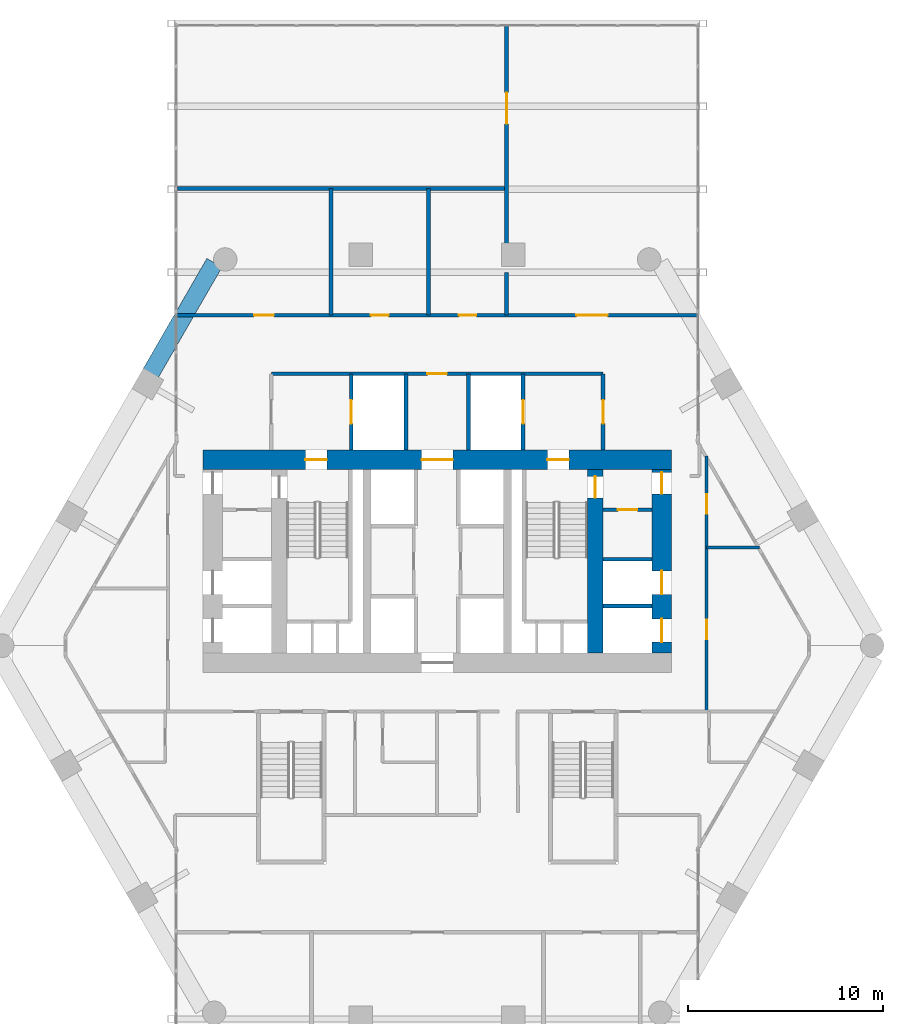
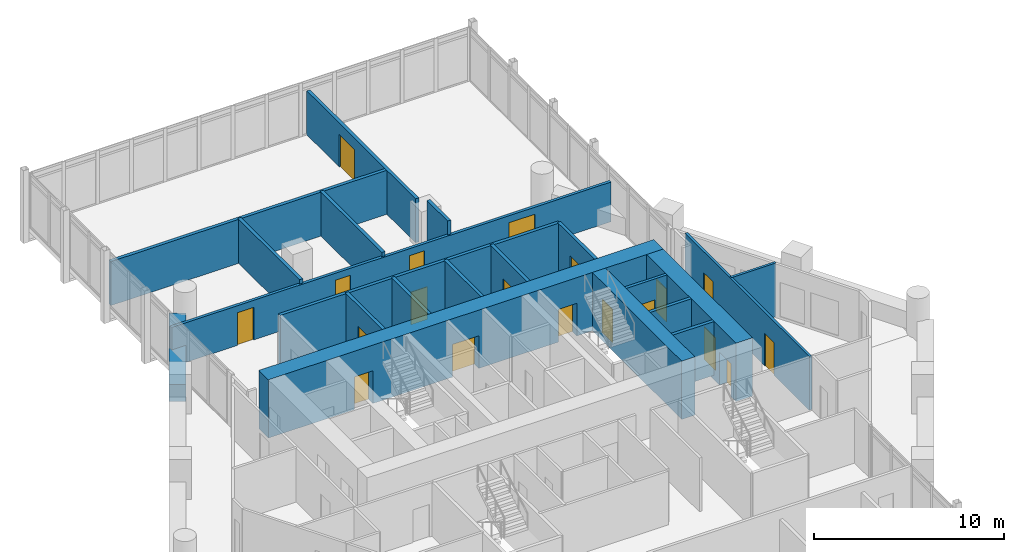
# One storey, part 26 of 28: 21 walls, 19 doors, 19 openings.
"""IFC4 building model written with IfcOpenShell, lengths in metres."""

from ifc_helpers import new_model, si_unit, direction, frame, frame_2d, origin, place, context, subcontext, project, spatial, rectangle, extrude, material, layer, layer_set, type_object, element, fill, save


model = new_model("IFC4")

# Units and contexts
model_context = context("Model", 3, precision=1e-05, world=origin(), true_north=direction((0.0, 1.0)))
body_context = subcontext(model_context, "Body", "Model", "MODEL_VIEW")
ifc_project = project(units=[si_unit("LENGTHUNIT", "METRE"), si_unit("AREAUNIT", "SQUARE_METRE"), si_unit("VOLUMEUNIT", "CUBIC_METRE"), si_unit("PLANEANGLEUNIT", "RADIAN"), si_unit("MASSUNIT", "GRAM", prefix="KILO")], contexts=[model_context])

# Site, building, storey
site_placement = place(None, origin())
site = spatial("IfcSite", under=ifc_project, at=site_placement, CompositionType="ELEMENT")
building_placement = place(site_placement, origin())
building = spatial("IfcBuilding", under=site, at=building_placement, Name="Ostrander Bayou Hotel Tower", CompositionType="ELEMENT")
storey_placement = place(building_placement, frame((0.0, 0.0, 104.25)))
storey = spatial("IfcBuildingStorey", under=building, at=storey_placement, Name="L26", CompositionType="ELEMENT", Elevation=104.25)

# Wall, openings, doors
ifc_material_1 = material(Name="Concrete f'c 70 MPa", Category="concrete")
ifc_layer_1 = layer(ifc_material_1, 1.0)
ifc_layer_set_1 = layer_set([ifc_layer_1], Name="CW4 core wall 1000 mm f'c 70 MPa")
wall_type_1 = type_object("IfcWallType", Name="CW4 core wall 1000 mm f'c 70 MPa", PredefinedType="SHEAR", material=ifc_layer_set_1)
wall_1_placement = place(storey_placement, frame((-12.0, 9.199951171875, -0.300048828125), z_axis=(0.0, 0.0, 1.0), x_axis=(1.0, 0.0, 0.0)))
wall_1 = element("IfcWall", 1, at=wall_1_placement, inside=storey, type_object=wall_type_1, Name="CW4 L26 N", PredefinedType="SHEAR", context=body_context, shape_type="SweptSolid", body=[
    extrude(rectangle(XDim=24.0, YDim=1.0, at=frame_2d((12.0, 0.0))), origin(), (0.0, 0.0, 1.0), 3.75),
])
opening_1_placement = place(wall_1_placement, frame((11.199951171875, 0.0, 0.0)))
opening_1 = element("IfcOpeningElement", 2, at=opening_1_placement, cuts=wall_1, Name="Opening T25-002", PredefinedType="OPENING", context=body_context, shape_type="SweptSolid", body=[
    extrude(rectangle(XDim=1.60009765625, YDim=2.10009765625, at=frame_2d((0.800048828125, 1.050048828125))), frame((0.0, 0.5, 0.0), z_axis=(0.0, -1.0, 0.0), x_axis=(1.0, 0.0, 0.0)), (0.0, 0.0, 1.0), 1.0),
])
opening_2_placement = place(wall_1_placement, frame((5.25, 0.0, 0.0)))
opening_2 = element("IfcOpeningElement", 3, at=opening_2_placement, cuts=wall_1, Name="Opening T25-003", PredefinedType="OPENING", context=body_context, shape_type="SweptSolid", body=[
    extrude(rectangle(XDim=1.10009765625, YDim=2.10009765625, at=frame_2d((0.550048828125, 1.050048828125))), frame((0.0, 0.5, 0.0), z_axis=(0.0, -1.0, 0.0), x_axis=(1.0, 0.0, 0.0)), (0.0, 0.0, 1.0), 1.0),
])
opening_3_placement = place(wall_1_placement, frame((17.64990234375, 0.0, 0.0)))
opening_3 = element("IfcOpeningElement", 4, at=opening_3_placement, cuts=wall_1, Name="Opening T25-005", PredefinedType="OPENING", context=body_context, shape_type="SweptSolid", body=[
    extrude(rectangle(XDim=1.10009765625, YDim=2.10009765625, at=frame_2d((0.550048828125, 1.050048828125))), frame((0.0, 0.5, 0.0), z_axis=(0.0, -1.0, 0.0), x_axis=(1.0, 0.0, 0.0)), (0.0, 0.0, 1.0), 1.0),
])
ifc_material_2 = material(Name="Timber door leaf", Category="wood")
door_type_1 = type_object("IfcDoorType", Name="D13 double door 1600 x 2100 mm, 1 hour", OperationType="SINGLE_SWING_LEFT", PredefinedType="DOOR", material=ifc_material_2)
door_1_placement = place(opening_1_placement, origin())
door_1 = element("IfcDoor", 5, at=door_1_placement, inside=storey, type_object=door_type_1, Name="dr:L26:002", OperationType="DOUBLE_DOOR_SINGLE_SWING", OverallHeight=2.10009765625, OverallWidth=1.60009765625, PredefinedType="DOOR", context=body_context, shape_type="SweptSolid", body=[
    extrude(rectangle(XDim=1.60009765625, YDim=2.10009765625, at=frame_2d((0.800048828125, 1.050048828125))), frame((0.0, 0.02490234375, 0.0), z_axis=(0.0, -1.0, 0.0), x_axis=(1.0, 0.0, 0.0)), (0.0, 0.0, 1.0), 0.050048828125),
])
fill(opening_1, door_1)
ifc_material_3 = material(Name="Timber door leaf", Category="wood")
door_type_2 = type_object("IfcDoorType", Name="D5 stair door 1100 x 2100 mm, 90 minute", OperationType="SINGLE_SWING_LEFT", PredefinedType="DOOR", material=ifc_material_3)
door_2_placement = place(opening_2_placement, origin())
door_2 = element("IfcDoor", 6, at=door_2_placement, inside=storey, type_object=door_type_2, Name="dr:L26:003", OperationType="SINGLE_SWING_LEFT", OverallHeight=2.10009765625, OverallWidth=1.10009765625, PredefinedType="DOOR", context=body_context, shape_type="SweptSolid", body=[
    extrude(rectangle(XDim=1.10009765625, YDim=2.10009765625, at=frame_2d((0.550048828125, 1.050048828125))), frame((0.0, 0.02490234375, 0.0), z_axis=(0.0, -1.0, 0.0), x_axis=(1.0, 0.0, 0.0)), (0.0, 0.0, 1.0), 0.050048828125),
])
fill(opening_2, door_2)
door_3_placement = place(opening_3_placement, origin())
door_3 = element("IfcDoor", 7, at=door_3_placement, inside=storey, type_object=door_type_2, Name="dr:L26:005", OperationType="SINGLE_SWING_RIGHT", OverallHeight=2.10009765625, OverallWidth=1.10009765625, PredefinedType="DOOR", context=body_context, shape_type="SweptSolid", body=[
    extrude(rectangle(XDim=1.10009765625, YDim=2.10009765625, at=frame_2d((0.550048828125, 1.050048828125))), frame((0.0, 0.02490234375, 0.0), z_axis=(0.0, -1.0, 0.0), x_axis=(1.0, 0.0, 0.0)), (0.0, 0.0, 1.0), 0.050048828125),
])
fill(opening_3, door_3)

wall_2_placement = place(storey_placement, frame((11.5, -0.699951171875, -0.300048828125), z_axis=(0.0, 0.0, 1.0), x_axis=(0.0, 1.0, 0.0)))
wall_2 = element("IfcWall", 8, at=wall_2_placement, inside=storey, type_object=wall_type_1, Name="CW4 L26 RE", PredefinedType="SHEAR", context=body_context, shape_type="SweptSolid", body=[
    extrude(rectangle(XDim=9.39990234375, YDim=1.0, at=frame_2d((4.699951171875, 0.0))), origin(), (0.0, 0.0, 1.0), 3.75),
])
opening_4_placement = place(wall_2_placement, frame((8.14990234375, 0.0, 0.0)))
opening_4 = element("IfcOpeningElement", 9, at=opening_4_placement, cuts=wall_2, Name="Opening T25-021", PredefinedType="OPENING", context=body_context, shape_type="SweptSolid", body=[
    extrude(rectangle(XDim=1.10009765625, YDim=2.10009765625, at=frame_2d((0.550048828125, 1.050048828125))), frame((0.0, 0.5, 0.0), z_axis=(0.0, -1.0, 0.0), x_axis=(1.0, 0.0, 0.0)), (0.0, 0.0, 1.0), 1.0),
])
opening_5_placement = place(wall_2_placement, frame((0.550048828125, 0.0, 0.0)))
opening_5 = element("IfcOpeningElement", 10, at=opening_5_placement, cuts=wall_2, Name="Opening T25-022", PredefinedType="OPENING", context=body_context, shape_type="SweptSolid", body=[
    extrude(rectangle(XDim=1.199951171875, YDim=2.10009765625, at=frame_2d((0.60009765625, 1.050048828125))), frame((0.0, 0.5, 0.0), z_axis=(0.0, -1.0, 0.0), x_axis=(1.0, 0.0, 0.0)), (0.0, 0.0, 1.0), 1.0),
])
opening_6_placement = place(wall_2_placement, frame((3.0, 0.0, 0.0)))
opening_6 = element("IfcOpeningElement", 11, at=opening_6_placement, cuts=wall_2, Name="Opening T25-023", PredefinedType="OPENING", context=body_context, shape_type="SweptSolid", body=[
    extrude(rectangle(XDim=1.199951171875, YDim=2.10009765625, at=frame_2d((0.60009765625, 1.050048828125))), frame((0.0, 0.5, 0.0), z_axis=(0.0, -1.0, 0.0), x_axis=(1.0, 0.0, 0.0)), (0.0, 0.0, 1.0), 1.0),
])
door_4_placement = place(opening_4_placement, origin())
door_4 = element("IfcDoor", 12, at=door_4_placement, inside=storey, type_object=door_type_2, Name="dr:L26:021", OperationType="SINGLE_SWING_RIGHT", OverallHeight=2.10009765625, OverallWidth=1.10009765625, PredefinedType="DOOR", context=body_context, shape_type="SweptSolid", body=[
    extrude(rectangle(XDim=1.10009765625, YDim=2.10009765625, at=frame_2d((0.550048828125, 1.050048828125))), frame((0.0, 0.02490234375, 0.0), z_axis=(0.0, -1.0, 0.0), x_axis=(1.0, 0.0, 0.0)), (0.0, 0.0, 1.0), 0.050048828125),
])
fill(opening_4, door_4)
ifc_material_4 = material(Name="Stainless steel sliding door", Category="steel")
door_type_3 = type_object("IfcDoorType", Name="LD1 lift landing door 1200 x 2100 mm", OperationType="SINGLE_SWING_LEFT", PredefinedType="DOOR", material=ifc_material_4)
door_5_placement = place(opening_5_placement, origin())
door_5 = element("IfcDoor", 13, at=door_5_placement, inside=storey, type_object=door_type_3, Name="dr:L26:022", OperationType="SLIDING_TO_LEFT", OverallHeight=2.10009765625, OverallWidth=1.199951171875, PredefinedType="DOOR", context=body_context, shape_type="SweptSolid", body=[
    extrude(rectangle(XDim=1.199951171875, YDim=2.10009765625, at=frame_2d((0.60009765625, 1.050048828125))), frame((0.0, 0.02490234375, 0.0), z_axis=(0.0, -1.0, 0.0), x_axis=(1.0, 0.0, 0.0)), (0.0, 0.0, 1.0), 0.050048828125),
])
fill(opening_5, door_5)
door_6_placement = place(opening_6_placement, origin())
door_6 = element("IfcDoor", 14, at=door_6_placement, inside=storey, type_object=door_type_3, Name="dr:L26:023", OperationType="SLIDING_TO_LEFT", OverallHeight=2.10009765625, OverallWidth=1.199951171875, PredefinedType="DOOR", context=body_context, shape_type="SweptSolid", body=[
    extrude(rectangle(XDim=1.199951171875, YDim=2.10009765625, at=frame_2d((0.60009765625, 1.050048828125))), frame((0.0, 0.02490234375, 0.0), z_axis=(0.0, -1.0, 0.0), x_axis=(1.0, 0.0, 0.0)), (0.0, 0.0, 1.0), 0.050048828125),
])
fill(opening_6, door_6)

# Wall, opening, door
ifc_material_5 = material(Name="Concrete f'c 70 MPa", Category="concrete")
ifc_layer_2 = layer(ifc_material_5, 0.800048828125)
ifc_layer_set_2 = layer_set([ifc_layer_2], Name="CW5 core spine wall 800 mm f'c 70 MPa")
wall_type_2 = type_object("IfcWallType", Name="CW5 core spine wall 800 mm f'c 70 MPa", PredefinedType="SHEAR", material=ifc_layer_set_2)
wall_3_placement = place(storey_placement, frame((8.10009765625, -0.699951171875, -0.300048828125), z_axis=(0.0, 0.0, 1.0), x_axis=(0.0, 1.0, 0.0)))
wall_3 = element("IfcWall", 15, at=wall_3_placement, inside=storey, type_object=wall_type_2, Name="CW5 L26 E", PredefinedType="SHEAR", context=body_context, shape_type="SweptSolid", body=[
    extrude(rectangle(XDim=9.39990234375, YDim=0.800048828125, at=frame_2d((4.699951171875, 0.0))), origin(), (0.0, 0.0, 1.0), 3.75),
])
opening_7_placement = place(wall_3_placement, frame((7.949951171875, 0.0, 0.0)))
opening_7 = element("IfcOpeningElement", 16, at=opening_7_placement, cuts=wall_3, Name="Opening T25-006", PredefinedType="OPENING", context=body_context, shape_type="SweptSolid", body=[
    extrude(rectangle(XDim=1.10009765625, YDim=2.10009765625, at=frame_2d((0.550048828125, 1.050048828125))), frame((0.0, 0.39990234375, 0.0), z_axis=(0.0, -1.0, 0.0), x_axis=(1.0, 0.0, 0.0)), (0.0, 0.0, 1.0), 0.800048828125),
])
door_7_placement = place(opening_7_placement, origin())
door_7 = element("IfcDoor", 17, at=door_7_placement, inside=storey, type_object=door_type_2, Name="dr:L26:006", OperationType="SINGLE_SWING_LEFT", OverallHeight=2.10009765625, OverallWidth=1.10009765625, PredefinedType="DOOR", context=body_context, shape_type="SweptSolid", body=[
    extrude(rectangle(XDim=1.10009765625, YDim=2.10009765625, at=frame_2d((0.550048828125, 1.050048828125))), frame((0.0, 0.02490234375, 0.0), z_axis=(0.0, -1.0, 0.0), x_axis=(1.0, 0.0, 0.0)), (0.0, 0.0, 1.0), 0.050048828125),
])
fill(opening_7, door_7)

# Walls
ifc_material_6 = material(Name="Concrete f'c 40 MPa", Category="concrete")
ifc_layer_3 = layer(ifc_material_6, 0.89990234375)
ifc_layer_set_3 = layer_set([ifc_layer_3], Name="PA1 stone-faced parapet 900 mm")
wall_type_3 = type_object("IfcWallType", Name="PA1 stone-faced parapet 900 mm", PredefinedType="PARAPET", material=ifc_layer_set_3)
wall_4_placement = place(storey_placement, frame((-11.407958984375, 19.286376953125, 0.0), z_axis=(0.0, 0.0, 1.0), x_axis=(-0.499971966783, -0.866041588165, 0.0)))
element("IfcWall", 18, at=wall_4_placement, inside=storey, type_object=wall_type_3, Name="PA1 L26 NW-1", PredefinedType="PARAPET", context=body_context, shape_type="SweptSolid", body=[
    extrude(rectangle(XDim=6.521728515625, YDim=0.89990234375, at=frame_2d((3.2607421875, 0.0))), origin(), (0.0, 0.0, 1.0), 1.10009765625),
])
ifc_material_7 = material(Name="Gypsum board partition", Category="finish")
ifc_layer_4 = layer(ifc_material_7, 0.199951171875)
ifc_layer_set_4 = layer_set([ifc_layer_4], Name="PT3 demising wall 200 mm acoustic double stud, 1 hour")
wall_type_4 = type_object("IfcWallType", Name="PT3 demising wall 200 mm acoustic double stud, 1 hour", PredefinedType="PARTITIONING", material=ifc_layer_set_4)
wall_5_placement = place(storey_placement, frame((-13.312255859375, 23.10009765625, 0.0), z_axis=(0.0, 0.0, 1.0), x_axis=(1.0, 0.0, 0.0)))
element("IfcWall", 19, at=wall_5_placement, inside=storey, type_object=wall_type_4, Name="sw:L26:505", PredefinedType="PARTITIONING", context=body_context, shape_type="SweptSolid", body=[
    extrude(rectangle(XDim=16.8701171875, YDim=0.199951171875, at=frame_2d((8.43505859375, 0.0))), origin(), (0.0, 0.0, 1.0), 2.828125),
])
for number, where, z_axis, x_axis, name in (
    (20, (-5.44189453125, 16.60009765625, 0.0), (0.0, 0.0, 1.0), (0.0, 1.0, 0.0), "sw:L26:507"),
    (21, (-0.44189453125, 16.60009765625, 0.0), (0.0, 0.0, 1.0), (0.0, 1.0, 0.0), "sw:L26:508"),
):
    element("IfcWall", number, at=place(storey_placement, frame(where, z_axis=z_axis, x_axis=x_axis)), inside=storey, type_object=wall_type_4, Name=name, PredefinedType="PARTITIONING", context=body_context, shape_type="SweptSolid", body=[
        extrude(rectangle(XDim=6.5, YDim=0.199951171875, at=frame_2d((3.25, 0.0))), origin(), (0.0, 0.0, 1.0), 2.828125),
    ])
wall_6_placement = place(storey_placement, frame((3.55810546875, 16.60009765625, 0.0), z_axis=(0.0, 0.0, 1.0), x_axis=(0.0, 1.0, 0.0)))
element("IfcWall", 22, at=wall_6_placement, inside=storey, type_object=wall_type_4, Name="sw:L26:509", PredefinedType="PARTITIONING", context=body_context, shape_type="SweptSolid", body=[
    extrude(rectangle(XDim=2.177001953125, YDim=0.199951171875, at=frame_2d((1.08837890625, 0.0))), origin(), (0.0, 0.0, 1.0), 3.449951171875),
])

# Wall, opening, door
wall_7_placement = place(storey_placement, frame((3.55810546875, 19.96826171875, 0.0), z_axis=(0.0, 0.0, 1.0), x_axis=(0.0, 1.0, 0.0)))
wall_7 = element("IfcWall", 23, at=wall_7_placement, inside=storey, type_object=wall_type_4, Name="sw:L26:510", PredefinedType="PARTITIONING", context=body_context, shape_type="SweptSolid", body=[
    extrude(rectangle(XDim=11.458251953125, YDim=0.199951171875, at=frame_2d((5.72900390625, 0.0))), origin(), (0.0, 0.0, 1.0), 2.828125),
])
opening_8_placement = place(wall_7_placement, frame((6.439453125, 0.0, 0.0)))
opening_8 = element("IfcOpeningElement", 24, at=opening_8_placement, cuts=wall_7, Name="Opening T25-1211", PredefinedType="OPENING", context=body_context, shape_type="SweptSolid", body=[
    extrude(rectangle(XDim=1.60009765625, YDim=2.10009765625, at=frame_2d((0.800048828125, 1.050048828125))), frame((0.0, 0.10009765625, 0.0), z_axis=(0.0, -1.0, 0.0), x_axis=(1.0, 0.0, 0.0)), (0.0, 0.0, 1.0), 0.199951171875),
])
door_8_placement = place(opening_8_placement, origin())
door_8 = element("IfcDoor", 25, at=door_8_placement, inside=storey, type_object=door_type_1, Name="dr:L26:1211", OperationType="DOUBLE_DOOR_SINGLE_SWING", OverallHeight=2.10009765625, OverallWidth=1.60009765625, PredefinedType="DOOR", context=body_context, shape_type="SweptSolid", body=[
    extrude(rectangle(XDim=1.60009765625, YDim=2.10009765625, at=frame_2d((0.800048828125, 1.050048828125))), frame((0.0, 0.02490234375, 0.0), z_axis=(0.0, -1.0, 0.0), x_axis=(1.0, 0.0, 0.0)), (0.0, 0.0, 1.0), 0.050048828125),
])
fill(opening_8, door_8)

ifc_material_8 = material(Name="Gypsum board partition", Category="finish")
ifc_layer_5 = layer(ifc_material_8, 0.175048828125)
ifc_layer_set_5 = layer_set([ifc_layer_5], Name="PT4 corridor wall 175 mm, 1 hour")
wall_type_5 = type_object("IfcWallType", Name="PT4 corridor wall 175 mm, 1 hour", PredefinedType="PARTITIONING", material=ifc_layer_set_5)
wall_8_placement = place(storey_placement, frame((8.5, 6.6298828125, 0.0), z_axis=(0.0, 0.0, 1.0), x_axis=(1.0, 0.0, 0.0)))
wall_8 = element("IfcWall", 26, at=wall_8_placement, inside=storey, type_object=wall_type_5, Name="cs:L26:039", PredefinedType="PARTITIONING", context=body_context, shape_type="SweptSolid", body=[
    extrude(rectangle(XDim=2.5, YDim=0.175048828125, at=frame_2d((1.25, 0.0))), origin(), (0.0, 0.0, 1.0), 3.449951171875),
])
opening_9_placement = place(wall_8_placement, frame((0.75, 0.0, 0.0)))
opening_9 = element("IfcOpeningElement", 27, at=opening_9_placement, cuts=wall_8, Name="Opening T25-020", PredefinedType="OPENING", context=body_context, shape_type="SweptSolid", body=[
    extrude(rectangle(XDim=1.0, YDim=2.10009765625, at=frame_2d((0.5, 1.050048828125))), frame((0.0, 0.08740234375, 0.0), z_axis=(0.0, -1.0, 0.0), x_axis=(1.0, 0.0, 0.0)), (0.0, 0.0, 1.0), 0.175048828125),
])
ifc_material_9 = material(Name="Timber door leaf", Category="wood")
door_type_4 = type_object("IfcDoorType", Name="D4 corridor door 1000 x 2100 mm, 1 hour", OperationType="SINGLE_SWING_LEFT", PredefinedType="DOOR", material=ifc_material_9)
door_9_placement = place(opening_9_placement, origin())
door_9 = element("IfcDoor", 28, at=door_9_placement, inside=storey, type_object=door_type_4, Name="dr:L26:020", OperationType="SINGLE_SWING_RIGHT", OverallHeight=2.10009765625, OverallWidth=1.0, PredefinedType="DOOR", context=body_context, shape_type="SweptSolid", body=[
    extrude(rectangle(XDim=1.0, YDim=2.10009765625, at=frame_2d((0.5, 1.050048828125))), frame((0.0, 0.02490234375, 0.0), z_axis=(0.0, -1.0, 0.0), x_axis=(1.0, 0.0, 0.0)), (0.0, 0.0, 1.0), 0.050048828125),
])
fill(opening_9, door_9)

# Wall, openings, doors
wall_9_placement = place(storey_placement, frame((-13.34814453125, 16.60009765625, 0.0), z_axis=(0.0, 0.0, 1.0), x_axis=(1.0, 0.0, 0.0)))
wall_9 = element("IfcWall", 29, at=wall_9_placement, inside=storey, type_object=wall_type_5, Name="sw:L26:501", PredefinedType="PARTITIONING", context=body_context, shape_type="SweptSolid", body=[
    extrude(rectangle(XDim=26.6962890625, YDim=0.175048828125, at=frame_2d((13.34814453125, 0.0))), origin(), (0.0, 0.0, 1.0), 2.550048828125),
])
opening_10_placement = place(wall_9_placement, frame((3.976806640625, 0.0, 0.0)))
opening_10 = element("IfcOpeningElement", 30, at=opening_10_placement, cuts=wall_9, Name="Opening T25-1207", PredefinedType="OPENING", context=body_context, shape_type="SweptSolid", body=[
    extrude(rectangle(XDim=1.0, YDim=2.10009765625, at=frame_2d((0.5, 1.050048828125))), frame((0.0, 0.08740234375, 0.0), z_axis=(0.0, -1.0, 0.0), x_axis=(1.0, 0.0, 0.0)), (0.0, 0.0, 1.0), 0.175048828125),
])
opening_11_placement = place(wall_9_placement, frame((9.9560546875, 0.0, 0.0)))
opening_11 = element("IfcOpeningElement", 31, at=opening_11_placement, cuts=wall_9, Name="Opening T25-1208", PredefinedType="OPENING", context=body_context, shape_type="SweptSolid", body=[
    extrude(rectangle(XDim=0.89990234375, YDim=2.10009765625, at=frame_2d((0.449951171875, 1.050048828125))), frame((0.0, 0.08740234375, 0.0), z_axis=(0.0, -1.0, 0.0), x_axis=(1.0, 0.0, 0.0)), (0.0, 0.0, 1.0), 0.175048828125),
])
opening_12_placement = place(wall_9_placement, frame((14.4560546875, 0.0, 0.0)))
opening_12 = element("IfcOpeningElement", 32, at=opening_12_placement, cuts=wall_9, Name="Opening T25-1209", PredefinedType="OPENING", context=body_context, shape_type="SweptSolid", body=[
    extrude(rectangle(XDim=0.89990234375, YDim=2.10009765625, at=frame_2d((0.449951171875, 1.050048828125))), frame((0.0, 0.08740234375, 0.0), z_axis=(0.0, -1.0, 0.0), x_axis=(1.0, 0.0, 0.0)), (0.0, 0.0, 1.0), 0.175048828125),
])
opening_13_placement = place(wall_9_placement, frame((20.4775390625, 0.0, 0.0)))
opening_13 = element("IfcOpeningElement", 33, at=opening_13_placement, cuts=wall_9, Name="Opening T25-1210", PredefinedType="OPENING", context=body_context, shape_type="SweptSolid", body=[
    extrude(rectangle(XDim=1.60009765625, YDim=2.10009765625, at=frame_2d((0.800048828125, 1.050048828125))), frame((0.0, 0.08740234375, 0.0), z_axis=(0.0, -1.0, 0.0), x_axis=(1.0, 0.0, 0.0)), (0.0, 0.0, 1.0), 0.175048828125),
])
door_10_placement = place(opening_13_placement, origin())
door_10 = element("IfcDoor", 34, at=door_10_placement, inside=storey, type_object=door_type_1, Name="dr:L26:1210", OperationType="DOUBLE_DOOR_SINGLE_SWING", OverallHeight=2.10009765625, OverallWidth=1.60009765625, PredefinedType="DOOR", context=body_context, shape_type="SweptSolid", body=[
    extrude(rectangle(XDim=1.60009765625, YDim=2.10009765625, at=frame_2d((0.800048828125, 1.050048828125))), frame((0.0, 0.02490234375, 0.0), z_axis=(0.0, -1.0, 0.0), x_axis=(1.0, 0.0, 0.0)), (0.0, 0.0, 1.0), 0.050048828125),
])
fill(opening_13, door_10)
ifc_material_10 = material(Name="Timber door leaf", Category="wood")
door_type_5 = type_object("IfcDoorType", Name="D8 room door 900 x 2100 mm", OperationType="SINGLE_SWING_LEFT", PredefinedType="DOOR", material=ifc_material_10)
door_11_placement = place(opening_11_placement, origin())
door_11 = element("IfcDoor", 35, at=door_11_placement, inside=storey, type_object=door_type_5, Name="dr:L26:1208", OperationType="SINGLE_SWING_RIGHT", OverallHeight=2.10009765625, OverallWidth=0.89990234375, PredefinedType="DOOR", context=body_context, shape_type="SweptSolid", body=[
    extrude(rectangle(XDim=0.89990234375, YDim=2.10009765625, at=frame_2d((0.449951171875, 1.050048828125))), frame((0.0, 0.02490234375, 0.0), z_axis=(0.0, -1.0, 0.0), x_axis=(1.0, 0.0, 0.0)), (0.0, 0.0, 1.0), 0.050048828125),
])
fill(opening_11, door_11)
door_12_placement = place(opening_12_placement, origin())
door_12 = element("IfcDoor", 36, at=door_12_placement, inside=storey, type_object=door_type_5, Name="dr:L26:1209", OperationType="SINGLE_SWING_LEFT", OverallHeight=2.10009765625, OverallWidth=0.89990234375, PredefinedType="DOOR", context=body_context, shape_type="SweptSolid", body=[
    extrude(rectangle(XDim=0.89990234375, YDim=2.10009765625, at=frame_2d((0.449951171875, 1.050048828125))), frame((0.0, 0.02490234375, 0.0), z_axis=(0.0, -1.0, 0.0), x_axis=(1.0, 0.0, 0.0)), (0.0, 0.0, 1.0), 0.050048828125),
])
fill(opening_12, door_12)
ifc_material_11 = material(Name="Timber door leaf", Category="wood")
door_type_6 = type_object("IfcDoorType", Name="D9 service door 1000 x 2100 mm, 30 minute", OperationType="SINGLE_SWING_LEFT", PredefinedType="DOOR", material=ifc_material_11)
door_13_placement = place(opening_10_placement, origin())
door_13 = element("IfcDoor", 37, at=door_13_placement, inside=storey, type_object=door_type_6, Name="dr:L26:1207", OperationType="SINGLE_SWING_LEFT", OverallHeight=2.10009765625, OverallWidth=1.0, PredefinedType="DOOR", context=body_context, shape_type="SweptSolid", body=[
    extrude(rectangle(XDim=1.0, YDim=2.10009765625, at=frame_2d((0.5, 1.050048828125))), frame((0.0, 0.02490234375, 0.0), z_axis=(0.0, -1.0, 0.0), x_axis=(1.0, 0.0, 0.0)), (0.0, 0.0, 1.0), 0.050048828125),
])
fill(opening_10, door_13)

# Wall, opening, door
ifc_material_12 = material(Name="Masonry block", Category="masonry")
ifc_layer_6 = layer(ifc_material_12, 0.199951171875)
ifc_layer_set_6 = layer_set([ifc_layer_6], Name="PT5 stair enclosure wall 200 mm masonry, 2 hour")
wall_type_6 = type_object("IfcWallType", Name="PT5 stair enclosure wall 200 mm masonry, 2 hour", PredefinedType="PARTITIONING", material=ifc_layer_set_6)
wall_10_placement = place(storey_placement, frame((-8.5, 13.60009765625, 0.0), z_axis=(0.0, 0.0, 1.0), x_axis=(1.0, 0.0, 0.0)))
wall_10 = element("IfcWall", 38, at=wall_10_placement, inside=storey, type_object=wall_type_6, Name="cs:L26:025", PredefinedType="PARTITIONING", context=body_context, shape_type="SweptSolid", body=[
    extrude(rectangle(XDim=17.0, YDim=0.199951171875, at=frame_2d((8.5, 0.0))), origin(), (0.0, 0.0, 1.0), 3.449951171875),
])
opening_14_placement = place(wall_10_placement, frame((8.0, 0.0, 0.0)))
opening_14 = element("IfcOpeningElement", 39, at=opening_14_placement, cuts=wall_10, Name="Opening T25-013", PredefinedType="OPENING", context=body_context, shape_type="SweptSolid", body=[
    extrude(rectangle(XDim=1.0, YDim=2.10009765625, at=frame_2d((0.5, 1.050048828125))), frame((0.0, 0.10009765625, 0.0), z_axis=(0.0, -1.0, 0.0), x_axis=(1.0, 0.0, 0.0)), (0.0, 0.0, 1.0), 0.199951171875),
])
door_14_placement = place(opening_14_placement, origin())
door_14 = element("IfcDoor", 40, at=door_14_placement, inside=storey, type_object=door_type_6, Name="dr:L26:013", OperationType="SINGLE_SWING_LEFT", OverallHeight=2.10009765625, OverallWidth=1.0, PredefinedType="DOOR", context=body_context, shape_type="SweptSolid", body=[
    extrude(rectangle(XDim=1.0, YDim=2.10009765625, at=frame_2d((0.5, 1.050048828125))), frame((0.0, 0.02490234375, 0.0), z_axis=(0.0, -1.0, 0.0), x_axis=(1.0, 0.0, 0.0)), (0.0, 0.0, 1.0), 0.050048828125),
])
fill(opening_14, door_14)

wall_11_placement = place(storey_placement, frame((8.5, 9.699951171875, 0.0), z_axis=(0.0, 0.0, 1.0), x_axis=(0.0, 1.0, 0.0)))
wall_11 = element("IfcWall", 41, at=wall_11_placement, inside=storey, type_object=wall_type_6, Name="cs:L26:027", PredefinedType="PARTITIONING", context=body_context, shape_type="SweptSolid", body=[
    extrude(rectangle(XDim=3.900146484375, YDim=0.199951171875, at=frame_2d((1.9501953125, 0.0))), origin(), (0.0, 0.0, 1.0), 3.449951171875),
])
opening_15_placement = place(wall_11_placement, frame((1.35009765625, 0.0, 0.0)))
opening_15 = element("IfcOpeningElement", 42, at=opening_15_placement, cuts=wall_11, Name="Opening T25-012", PredefinedType="OPENING", context=body_context, shape_type="SweptSolid", body=[
    extrude(rectangle(XDim=1.199951171875, YDim=2.10009765625, at=frame_2d((0.60009765625, 1.050048828125))), frame((0.0, 0.10009765625, 0.0), z_axis=(0.0, -1.0, 0.0), x_axis=(1.0, 0.0, 0.0)), (0.0, 0.0, 1.0), 0.199951171875),
])
ifc_material_13 = material(Name="Timber door leaf", Category="wood")
door_type_7 = type_object("IfcDoorType", Name="D7 lobby door 1200 x 2100 mm, 1 hour", OperationType="SINGLE_SWING_LEFT", PredefinedType="DOOR", material=ifc_material_13)
door_15_placement = place(opening_15_placement, origin())
door_15 = element("IfcDoor", 43, at=door_15_placement, inside=storey, type_object=door_type_7, Name="dr:L26:012", OperationType="SINGLE_SWING_LEFT", OverallHeight=2.10009765625, OverallWidth=1.199951171875, PredefinedType="DOOR", context=body_context, shape_type="SweptSolid", body=[
    extrude(rectangle(XDim=1.199951171875, YDim=2.10009765625, at=frame_2d((0.60009765625, 1.050048828125))), frame((0.0, 0.02490234375, 0.0), z_axis=(0.0, -1.0, 0.0), x_axis=(1.0, 0.0, 0.0)), (0.0, 0.0, 1.0), 0.050048828125),
])
fill(opening_15, door_15)

wall_12_placement = place(storey_placement, frame((-4.39990234375, 9.699951171875, 0.0), z_axis=(0.0, 0.0, 1.0), x_axis=(0.0, 1.0, 0.0)))
wall_12 = element("IfcWall", 44, at=wall_12_placement, inside=storey, type_object=wall_type_6, Name="cs:L26:028", PredefinedType="PARTITIONING", context=body_context, shape_type="SweptSolid", body=[
    extrude(rectangle(XDim=3.900146484375, YDim=0.199951171875, at=frame_2d((1.9501953125, 0.0))), origin(), (0.0, 0.0, 1.0), 3.449951171875),
])
opening_16_placement = place(wall_12_placement, frame((1.35009765625, 0.0, 0.0)))
opening_16 = element("IfcOpeningElement", 45, at=opening_16_placement, cuts=wall_12, Name="Opening T25-009", PredefinedType="OPENING", context=body_context, shape_type="SweptSolid", body=[
    extrude(rectangle(XDim=1.199951171875, YDim=2.10009765625, at=frame_2d((0.60009765625, 1.050048828125))), frame((0.0, 0.10009765625, 0.0), z_axis=(0.0, -1.0, 0.0), x_axis=(1.0, 0.0, 0.0)), (0.0, 0.0, 1.0), 0.199951171875),
])
door_16_placement = place(opening_16_placement, origin())
door_16 = element("IfcDoor", 46, at=door_16_placement, inside=storey, type_object=door_type_3, Name="dr:L26:009", OperationType="SLIDING_TO_LEFT", OverallHeight=2.10009765625, OverallWidth=1.199951171875, PredefinedType="DOOR", context=body_context, shape_type="SweptSolid", body=[
    extrude(rectangle(XDim=1.199951171875, YDim=2.10009765625, at=frame_2d((0.60009765625, 1.050048828125))), frame((0.0, 0.02490234375, 0.0), z_axis=(0.0, -1.0, 0.0), x_axis=(1.0, 0.0, 0.0)), (0.0, 0.0, 1.0), 0.050048828125),
])
fill(opening_16, door_16)

wall_13_placement = place(storey_placement, frame((4.39990234375, 9.699951171875, 0.0), z_axis=(0.0, 0.0, 1.0), x_axis=(0.0, 1.0, 0.0)))
wall_13 = element("IfcWall", 47, at=wall_13_placement, inside=storey, type_object=wall_type_6, Name="cs:L26:029", PredefinedType="PARTITIONING", context=body_context, shape_type="SweptSolid", body=[
    extrude(rectangle(XDim=3.900146484375, YDim=0.199951171875, at=frame_2d((1.9501953125, 0.0))), origin(), (0.0, 0.0, 1.0), 3.449951171875),
])
opening_17_placement = place(wall_13_placement, frame((1.35009765625, 0.0, 0.0)))
opening_17 = element("IfcOpeningElement", 48, at=opening_17_placement, cuts=wall_13, Name="Opening T25-011", PredefinedType="OPENING", context=body_context, shape_type="SweptSolid", body=[
    extrude(rectangle(XDim=1.199951171875, YDim=2.10009765625, at=frame_2d((0.60009765625, 1.050048828125))), frame((0.0, 0.10009765625, 0.0), z_axis=(0.0, -1.0, 0.0), x_axis=(1.0, 0.0, 0.0)), (0.0, 0.0, 1.0), 0.199951171875),
])
door_17_placement = place(opening_17_placement, origin())
door_17 = element("IfcDoor", 49, at=door_17_placement, inside=storey, type_object=door_type_3, Name="dr:L26:011", OperationType="SLIDING_TO_LEFT", OverallHeight=2.10009765625, OverallWidth=1.199951171875, PredefinedType="DOOR", context=body_context, shape_type="SweptSolid", body=[
    extrude(rectangle(XDim=1.199951171875, YDim=2.10009765625, at=frame_2d((0.60009765625, 1.050048828125))), frame((0.0, 0.02490234375, 0.0), z_axis=(0.0, -1.0, 0.0), x_axis=(1.0, 0.0, 0.0)), (0.0, 0.0, 1.0), 0.050048828125),
])
fill(opening_17, door_17)

# Walls
ifc_material_14 = material(Name="Masonry block", Category="masonry")
ifc_layer_7 = layer(ifc_material_14, 0.199951171875)
ifc_layer_set_7 = layer_set([ifc_layer_7], Name="PT6 lift shaft wall 200 mm masonry, 2 hour")
wall_type_7 = type_object("IfcWallType", Name="PT6 lift shaft wall 200 mm masonry, 2 hour", PredefinedType="PARTITIONING", material=ifc_layer_set_7)
for number, where, z_axis, x_axis, name in (
    (50, (-1.60009765625, 9.699951171875, 0.0), (0.0, 0.0, 1.0), (0.0, 1.0, 0.0), "cs:L26:030"),
    (51, (1.60009765625, 9.699951171875, 0.0), (0.0, 0.0, 1.0), (0.0, 1.0, 0.0), "cs:L26:031"),
):
    element("IfcWall", number, at=place(storey_placement, frame(where, z_axis=z_axis, x_axis=x_axis)), inside=storey, type_object=wall_type_7, Name=name, PredefinedType="PARTITIONING", context=body_context, shape_type="SweptSolid", body=[
        extrude(rectangle(XDim=3.900146484375, YDim=0.199951171875, at=frame_2d((1.9501953125, 0.0))), origin(), (0.0, 0.0, 1.0), 3.449951171875),
    ])
for number, where, z_axis, x_axis, name in (
    (52, (8.5, 1.699951171875, 0.0), (0.0, 0.0, 1.0), (1.0, 0.0, 0.0), "cs:L26:037"),
    (53, (8.5, 4.10009765625, 0.0), (0.0, 0.0, 1.0), (1.0, 0.0, 0.0), "cs:L26:038"),
):
    element("IfcWall", number, at=place(storey_placement, frame(where, z_axis=z_axis, x_axis=x_axis)), inside=storey, type_object=wall_type_7, Name=name, PredefinedType="PARTITIONING", context=body_context, shape_type="SweptSolid", body=[
        extrude(rectangle(XDim=2.5, YDim=0.199951171875, at=frame_2d((1.25, 0.0))), origin(), (0.0, 0.0, 1.0), 3.449951171875),
    ])
ifc_material_15 = material(Name="Gypsum board partition", Category="finish")
ifc_layer_8 = layer(ifc_material_15, 0.14990234375)
ifc_layer_set_8 = layer_set([ifc_layer_8], Name="PT8 service band wall 150 mm, 1 hour")
wall_type_8 = type_object("IfcWallType", Name="PT8 service band wall 150 mm, 1 hour", PredefinedType="PARTITIONING", material=ifc_layer_set_8)
wall_14_placement = place(storey_placement, frame((13.800048828125, 4.699951171875, 0.0), z_axis=(0.0, 0.0, 1.0), x_axis=(1.0, 0.0, 0.0)))
element("IfcWall", 54, at=wall_14_placement, inside=storey, type_object=wall_type_8, Name="gw:L26:012", PredefinedType="PARTITIONING", context=body_context, shape_type="SweptSolid", body=[
    extrude(rectangle(XDim=2.703857421875, YDim=0.14990234375, at=frame_2d((1.35205078125, 0.0))), origin(), (0.0, 0.0, 1.0), 3.449951171875),
])

# Wall, openings, doors
wall_15_placement = place(storey_placement, frame((13.800048828125, -3.699951171875, 0.0), z_axis=(0.0, 0.0, 1.0), x_axis=(0.0, 1.0, 0.0)))
wall_15 = element("IfcWall", 55, at=wall_15_placement, inside=storey, type_object=wall_type_8, Name="gw:L26:016", PredefinedType="PARTITIONING", context=body_context, shape_type="SweptSolid", body=[
    extrude(rectangle(XDim=13.0830078125, YDim=0.14990234375, at=frame_2d((6.54150390625, 0.0))), origin(), (0.0, 0.0, 1.0), 3.449951171875),
])
opening_18_placement = place(wall_15_placement, frame((3.699951171875, 0.0, 0.0)))
opening_18 = element("IfcOpeningElement", 56, at=opening_18_placement, cuts=wall_15, Name="Opening T25-410", PredefinedType="OPENING", context=body_context, shape_type="SweptSolid", body=[
    extrude(rectangle(XDim=1.0, YDim=2.10009765625, at=frame_2d((0.5, 1.050048828125))), frame((0.0, 0.074951171875, 0.0), z_axis=(0.0, -1.0, 0.0), x_axis=(1.0, 0.0, 0.0)), (0.0, 0.0, 1.0), 0.14990234375),
])
opening_19_placement = place(wall_15_placement, frame((10.1201171875, 0.0, 0.0)))
opening_19 = element("IfcOpeningElement", 57, at=opening_19_placement, cuts=wall_15, Name="Opening T25-411", PredefinedType="OPENING", context=body_context, shape_type="SweptSolid", body=[
    extrude(rectangle(XDim=1.0, YDim=2.10009765625, at=frame_2d((0.5, 1.050048828125))), frame((0.0, 0.074951171875, 0.0), z_axis=(0.0, -1.0, 0.0), x_axis=(1.0, 0.0, 0.0)), (0.0, 0.0, 1.0), 0.14990234375),
])
ifc_material_16 = material(Name="Timber door leaf", Category="wood")
door_type_8 = type_object("IfcDoorType", Name="D15 room door 1000 x 2100 mm", OperationType="SINGLE_SWING_LEFT", PredefinedType="DOOR", material=ifc_material_16)
door_18_placement = place(opening_18_placement, origin())
door_18 = element("IfcDoor", 58, at=door_18_placement, inside=storey, type_object=door_type_8, Name="dr:L26:410", OperationType="SINGLE_SWING_LEFT", OverallHeight=2.10009765625, OverallWidth=1.0, PredefinedType="DOOR", context=body_context, shape_type="SweptSolid", body=[
    extrude(rectangle(XDim=1.0, YDim=2.10009765625, at=frame_2d((0.5, 1.050048828125))), frame((0.0, 0.02490234375, 0.0), z_axis=(0.0, -1.0, 0.0), x_axis=(1.0, 0.0, 0.0)), (0.0, 0.0, 1.0), 0.050048828125),
])
fill(opening_18, door_18)
door_19_placement = place(opening_19_placement, origin())
door_19 = element("IfcDoor", 59, at=door_19_placement, inside=storey, type_object=door_type_6, Name="dr:L26:411", OperationType="SINGLE_SWING_LEFT", OverallHeight=2.10009765625, OverallWidth=1.0, PredefinedType="DOOR", context=body_context, shape_type="SweptSolid", body=[
    extrude(rectangle(XDim=1.0, YDim=2.10009765625, at=frame_2d((0.5, 1.050048828125))), frame((0.0, 0.02490234375, 0.0), z_axis=(0.0, -1.0, 0.0), x_axis=(1.0, 0.0, 0.0)), (0.0, 0.0, 1.0), 0.050048828125),
])
fill(opening_19, door_19)

save(model, "model.ifc")
